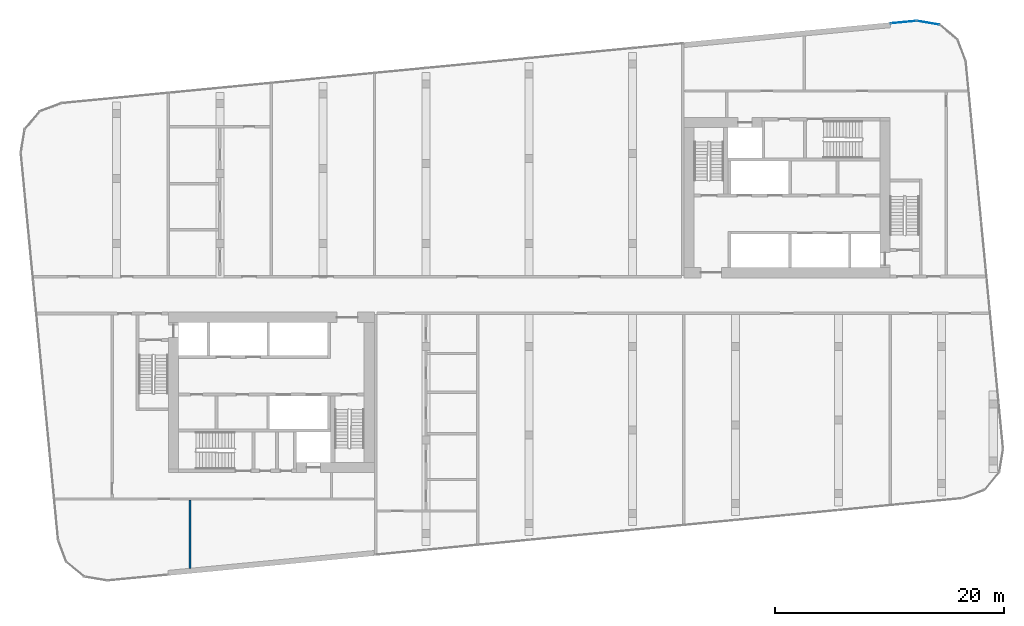
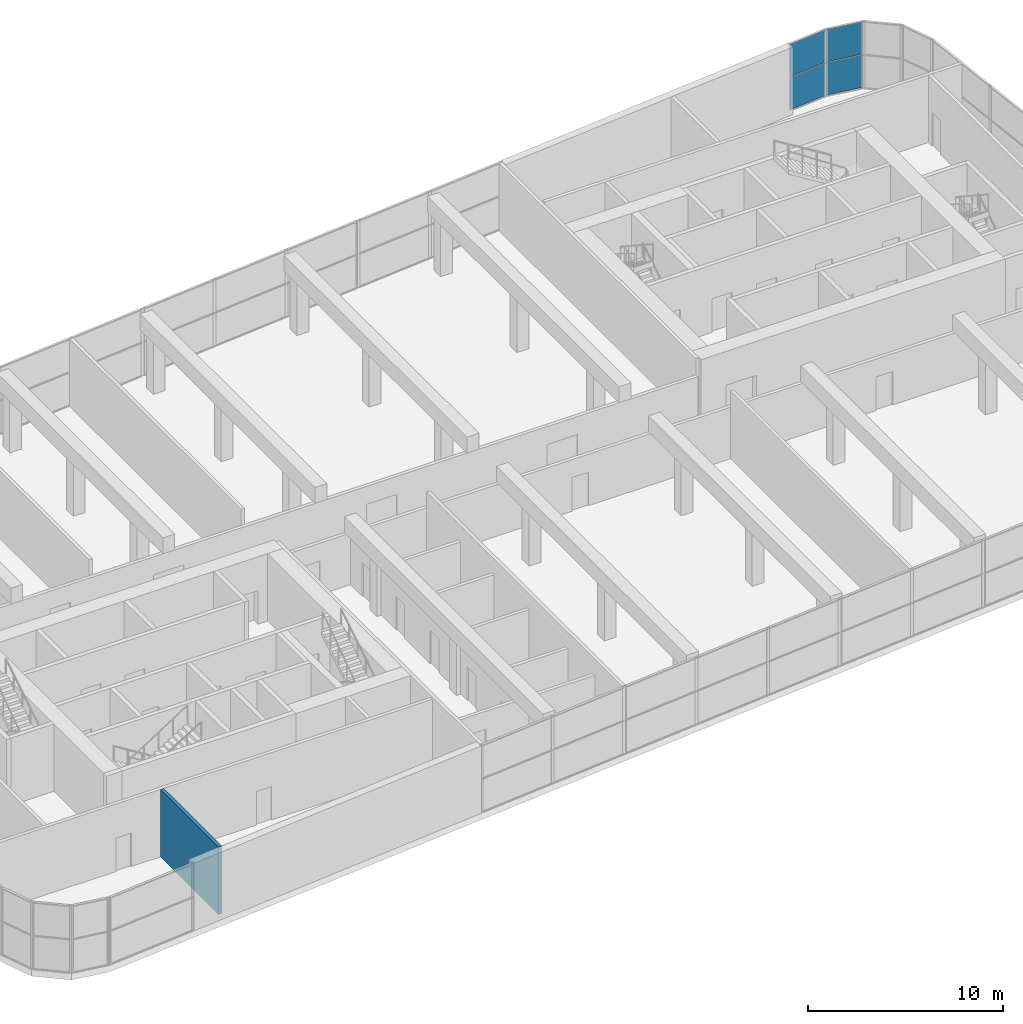
# One storey, part 12 of 21: 4 plates, 1 wall, 2 elements without a shape of their own.
"""IFC4 building model written with IfcOpenShell, lengths in metres."""

from ifc_helpers import new_model, si_unit, direction, frame, frame_2d, origin, origin_2d, place, context, subcontext, project, spatial, rectangle, extrude, material, layer, layer_set, type_object, element, aggregate, save


model = new_model("IFC4")

# Units and contexts
model_context = context("Model", 3, precision=1e-05, world=origin(), true_north=direction((0.0, 1.0)))
body_context = subcontext(model_context, "Body", "Model", "MODEL_VIEW")
ifc_project = project(units=[si_unit("LENGTHUNIT", "METRE"), si_unit("AREAUNIT", "SQUARE_METRE"), si_unit("VOLUMEUNIT", "CUBIC_METRE"), si_unit("PLANEANGLEUNIT", "RADIAN"), si_unit("MASSUNIT", "GRAM", prefix="KILO")], contexts=[model_context])

# Site, building, storey
site_placement = place(None, origin())
site = spatial("IfcSite", under=ifc_project, at=site_placement, CompositionType="ELEMENT")
building_placement = place(site_placement, origin())
building = spatial("IfcBuilding", under=site, at=building_placement, Name="Kajstack Hotel Tower", CompositionType="ELEMENT")
storey_placement = place(building_placement, frame((0.0, 0.0, 162.39990234375)))
storey = spatial("IfcBuildingStorey", under=building, at=storey_placement, Name="L37", CompositionType="ELEMENT", Elevation=162.39990234375)

# Curtain wall, plates
ifc_material_1 = material(Name="Aluminium-framed curtain wall, insulated glass with fritted edge", Category="aluminium")
curtain_wall_type = type_object("IfcCurtainWallType", Name="CW-SPA", PredefinedType="NOTDEFINED", material=ifc_material_1)
curtain_wall_1_placement = place(storey_placement, origin())
curtain_wall_1 = element("IfcCurtainWall", 1, at=curtain_wall_1_placement, inside=storey, type_object=curtain_wall_type, Name="Curtain wall CU7 L37-11-00-0", PredefinedType="NOTDEFINED")
ifc_material_2 = material(Name="Insulated glass with fritted edge", Category="glass")
ifc_layer_1 = layer(ifc_material_2, 0.035888671875)
ifc_layer_set_1 = layer_set([ifc_layer_1], Name="CW-P-SPA")
plate_type = type_object("IfcPlateType", Name="CW-P-SPA", PredefinedType="CURTAIN_PANEL", material=ifc_layer_set_1)
plate_1_placement = place(storey_placement, frame((34.8232421875, 23.752685546875, 0.06005859375), z_axis=(0.0, 0.0, 1.0), x_axis=(-0.986289302298, 0.165025489464, 0.0)))
plate_1 = element("IfcPlate", 2, at=plate_1_placement, type_object=plate_type, Name="CU7 panel 1.1", PredefinedType="CURTAIN_PANEL", context=body_context, shape_type="SweptSolid", body=[
    extrude(rectangle(XDim=1.95068359375, YDim=0.035888671875, at=origin_2d()), origin(), (0.0, 0.0, 1.0), 2.02001953125),
])
plate_2_placement = place(storey_placement, frame((34.8232421875, 23.752685546875, 2.14013671875), z_axis=(0.0, 0.0, 1.0), x_axis=(-0.986289302298, 0.165025489464, 0.0)))
plate_2 = element("IfcPlate", 3, at=plate_2_placement, type_object=plate_type, Name="CU7 panel 1.2", PredefinedType="CURTAIN_PANEL", context=body_context, shape_type="SweptSolid", body=[
    extrude(rectangle(XDim=1.95068359375, YDim=0.035888671875, at=origin_2d()), origin(), (0.0, 0.0, 1.0), 2.02001953125),
])
aggregate(curtain_wall_1, [plate_1, plate_2])

curtain_wall_2_placement = place(storey_placement, origin())
curtain_wall_2 = element("IfcCurtainWall", 4, at=curtain_wall_2_placement, inside=storey, type_object=curtain_wall_type, Name="Curtain wall CU7 L37-12-00-0", PredefinedType="NOTDEFINED")
plate_3_placement = place(storey_placement, frame((32.66455078125, 23.8115234375, 0.06005859375), z_axis=(0.0, 0.0, 1.0), x_axis=(-0.995396241579, -0.095845303742, 0.0)))
plate_3 = element("IfcPlate", 5, at=plate_3_placement, type_object=plate_type, Name="CU7 panel 1.1", PredefinedType="CURTAIN_PANEL", context=body_context, shape_type="SweptSolid", body=[
    extrude(rectangle(XDim=2.205322265625, YDim=0.035888671875, at=origin_2d()), origin(), (0.0, 0.0, 1.0), 2.02001953125),
])
plate_4_placement = place(storey_placement, frame((32.66455078125, 23.8115234375, 2.14013671875), z_axis=(0.0, 0.0, 1.0), x_axis=(-0.995396241579, -0.095845303742, 0.0)))
plate_4 = element("IfcPlate", 6, at=plate_4_placement, type_object=plate_type, Name="CU7 panel 1.2", PredefinedType="CURTAIN_PANEL", context=body_context, shape_type="SweptSolid", body=[
    extrude(rectangle(XDim=2.205322265625, YDim=0.035888671875, at=origin_2d()), origin(), (0.0, 0.0, 1.0), 2.02001953125),
])
aggregate(curtain_wall_2, [plate_3, plate_4])

# Wall
ifc_material_3 = material(Name="Gypsum board on steel studs, mineral wool", Category="steel")
ifc_layer_2 = layer(ifc_material_3, 0.199951171875)
ifc_layer_set_2 = layer_set([ifc_layer_2], Name="Service partition 200")
wall_type = type_object("IfcWallType", Name="Service partition 200", PredefinedType="PARTITIONING", material=ifc_layer_set_2)
wall_placement = place(storey_placement, frame((-29.60009765625, -23.851806640625, 0.0), z_axis=(0.0, 0.0, 1.0), x_axis=(0.0, 1.0, 0.0)))
element("IfcWall", 7, at=wall_placement, inside=storey, type_object=wall_type, Name="Partition W SLP0", PredefinedType="PARTITIONING", context=body_context, shape_type="SweptSolid", body=[
    extrude(rectangle(XDim=5.951904296875, YDim=0.199951171875, at=frame_2d((2.97607421875, 0.0))), origin(), (0.0, 0.0, 1.0), 4.22021484375),
])

save(model, "model.ifc")
